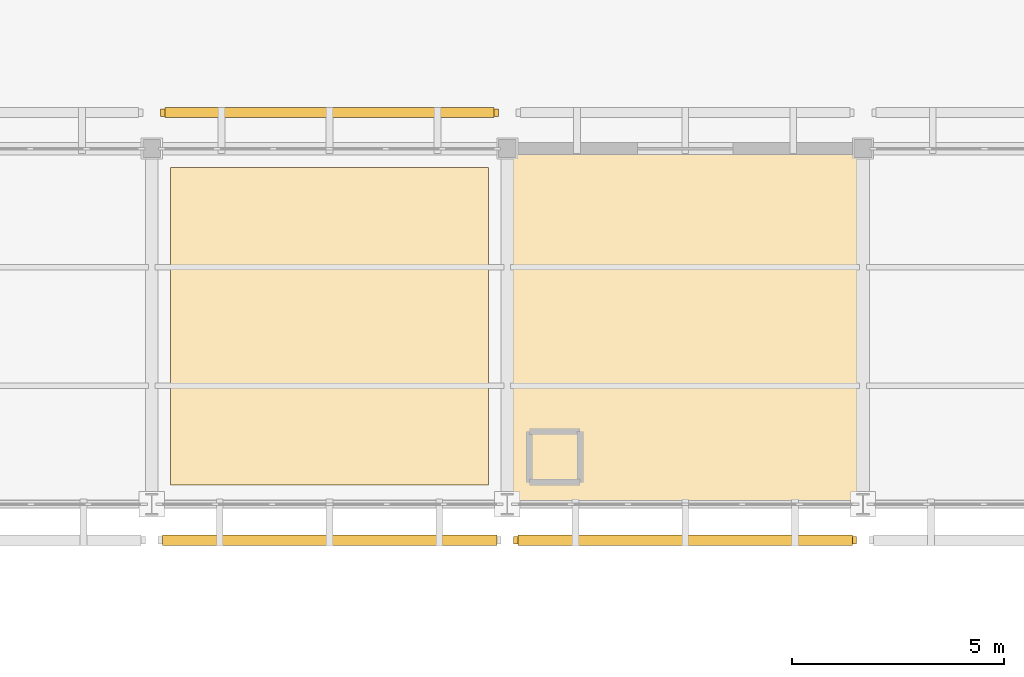
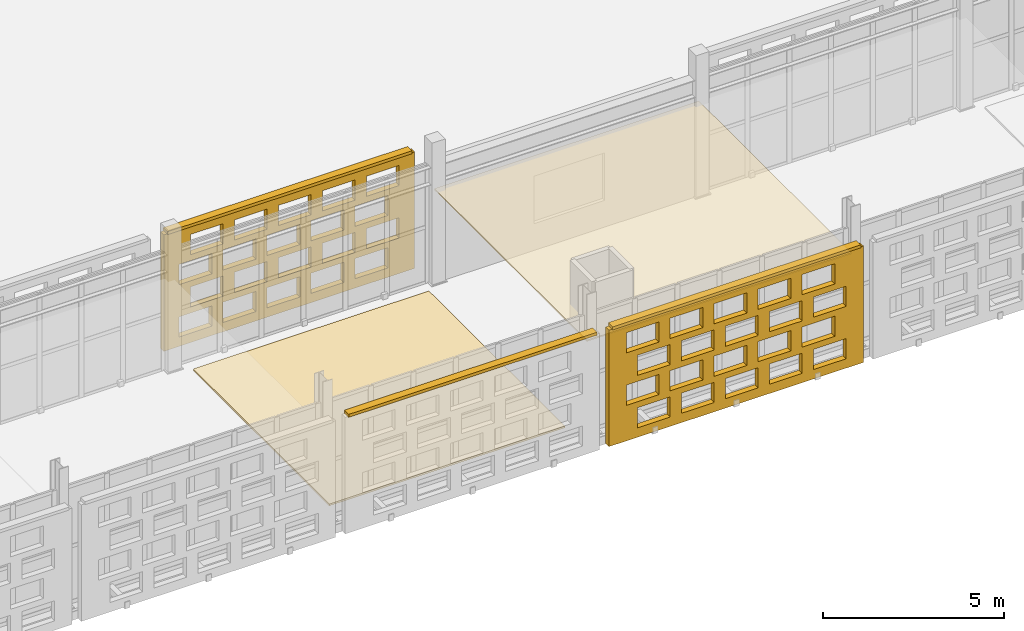
# One storey, part 172 of 203: 4 coverings, 3 shading devices, 40 openings.
"""IFC4 building model written with IfcOpenShell, lengths in metres."""

from ifc_helpers import new_model, si_unit, direction, frame, frame_2d, origin, origin_2d, place, context, subcontext, project, spatial, rectangle, extrude, material, layer, layer_set, type_object, element, save


model = new_model("IFC4")

# Units and contexts
model_context = context("Model", 3, precision=1e-05, world=origin(), true_north=direction((0.0, 1.0)))
body_context = subcontext(model_context, "Body", "Model", "MODEL_VIEW")
ifc_project = project(units=[si_unit("LENGTHUNIT", "METRE"), si_unit("AREAUNIT", "SQUARE_METRE"), si_unit("VOLUMEUNIT", "CUBIC_METRE"), si_unit("PLANEANGLEUNIT", "RADIAN"), si_unit("MASSUNIT", "GRAM", prefix="KILO")], contexts=[model_context])

# Site, building, storey
site_placement = place(None, origin())
site = spatial("IfcSite", under=ifc_project, at=site_placement, CompositionType="ELEMENT")
building_placement = place(site_placement, origin())
building = spatial("IfcBuilding", under=site, at=building_placement, Name="Varnapada Polytechnic", CompositionType="ELEMENT")
storey_placement = place(building_placement, frame((0.0, 0.0, 4.800048828125)))
storey = spatial("IfcBuildingStorey", under=building, at=storey_placement, Name="L01", CompositionType="ELEMENT", Elevation=4.800048828125)

# Coverings
ifc_material_1 = material(Name="Anti-Static Raised Laboratory Flooring")
ifc_layer_1 = layer(ifc_material_1, 0.06005859375)
ifc_layer_set_1 = layer_set([ifc_layer_1], Name="Anti-Static Raised Laboratory Flooring")
covering_type_1 = type_object("IfcCoveringType", Name="Floor Finish FLR-02", PredefinedType="FLOORING", material=ifc_layer_set_1)
covering_1_placement = place(storey_placement, frame((96.60009765625, 88.199951171875, 0.0), z_axis=(0.0, 0.0, 1.0), x_axis=(1.0, 0.0, 0.0)))
element("IfcCovering", 1, at=covering_1_placement, inside=storey, type_object=covering_type_1, Name="L01 floor finish panel (12,11)", PredefinedType="FLOORING", context=body_context, shape_type="SweptSolid", body=[
    extrude(rectangle(XDim=7.5, YDim=7.5, at=origin_2d()), origin(), (0.0, 0.0, 1.0), 0.06005859375),
])
ifc_material_2 = material(Name="Micro-Perforated Gypsum Acoustic Ceiling")
ifc_layer_2 = layer(ifc_material_2, 0.044921875)
ifc_layer_set_2 = layer_set([ifc_layer_2], Name="Micro-Perforated Gypsum Acoustic Ceiling")
covering_type_2 = type_object("IfcCoveringType", Name="Suspended Ceiling CLG-04", PredefinedType="CEILING", material=ifc_layer_set_2)
covering_2_placement = place(storey_placement, frame((105.0, 88.199951171875, 3.027587890625), z_axis=(0.0, 0.0, 1.0), x_axis=(1.0, 0.0, 0.0)))
element("IfcCovering", 2, at=covering_2_placement, inside=storey, type_object=covering_type_2, Name="L01 suspended acoustic ceiling (13,11)", PredefinedType="CEILING", context=body_context, shape_type="SweptSolid", body=[
    extrude(rectangle(XDim=8.419921875, YDim=8.419921875, at=origin_2d()), origin(), (0.0, 0.0, 1.0), 0.044921875),
])

# Covering, openings
ifc_material_3 = material(Name="Earth-toned architectural terracotta screen block", Category="masonry")
ifc_layer_3 = layer(ifc_material_3, 0.1201171875)
ifc_layer_set_3 = layer_set([ifc_layer_3], Name="Earth-toned architectural terracotta screen block")
covering_type_3 = type_object("IfcCoveringType", Name="Terracotta Screen Cladding CLD-01", PredefinedType="CLADDING", material=ifc_layer_set_3)
covering_3_placement = place(storey_placement, frame((92.610107421875, 93.25, 0.0), z_axis=(0.0, 0.0, 1.0), x_axis=(1.0, 0.0, 0.0)))
covering_3 = element("IfcCovering", 3, at=covering_3_placement, inside=storey, type_object=covering_type_3, Name="L01 perforated terracotta block screen (81)", PredefinedType="CLADDING", context=body_context, shape_type="SweptSolid", body=[
    extrude(rectangle(XDim=7.97998046875, YDim=0.179931640625, at=frame_2d((3.989990234375, 0.0))), origin(), (0.0, 0.0, 1.0), 3.919921875),
])
opening_1_placement = place(covering_3_placement, frame((0.489990234375, 0.0, 0.313720703125)))
element("IfcOpeningElement", 4, at=opening_1_placement, cuts=covering_3, Name="Screen perforation TBS-L01-080.1", PredefinedType="OPENING", context=body_context, shape_type="SweptSolid", body=[
    extrude(rectangle(XDim=1.0400390625, YDim=0.679931640625, at=frame_2d((0.52001953125, 0.33984375))), frame((0.0, 0.099853515625, 0.0), z_axis=(0.0, -1.0, 0.0), x_axis=(1.0, 0.0, 0.0)), (0.0, 0.0, 1.0), 0.199951171875),
])
opening_2_placement = place(covering_3_placement, frame((1.889892578125, 0.0, 0.313720703125)))
element("IfcOpeningElement", 5, at=opening_2_placement, cuts=covering_3, Name="Screen perforation TBS-L01-080.2", PredefinedType="OPENING", context=body_context, shape_type="SweptSolid", body=[
    extrude(rectangle(XDim=1.0400390625, YDim=0.679931640625, at=frame_2d((0.52001953125, 0.33984375))), frame((0.0, 0.099853515625, 0.0), z_axis=(0.0, -1.0, 0.0), x_axis=(1.0, 0.0, 0.0)), (0.0, 0.0, 1.0), 0.199951171875),
])
opening_3_placement = place(covering_3_placement, frame((3.2900390625, 0.0, 0.313720703125)))
element("IfcOpeningElement", 6, at=opening_3_placement, cuts=covering_3, Name="Screen perforation TBS-L01-080.3", PredefinedType="OPENING", context=body_context, shape_type="SweptSolid", body=[
    extrude(rectangle(XDim=1.0400390625, YDim=0.679931640625, at=frame_2d((0.52001953125, 0.33984375))), frame((0.0, 0.099853515625, 0.0), z_axis=(0.0, -1.0, 0.0), x_axis=(1.0, 0.0, 0.0)), (0.0, 0.0, 1.0), 0.199951171875),
])
opening_4_placement = place(covering_3_placement, frame((4.68994140625, 0.0, 0.313720703125)))
element("IfcOpeningElement", 7, at=opening_4_placement, cuts=covering_3, Name="Screen perforation TBS-L01-080.4", PredefinedType="OPENING", context=body_context, shape_type="SweptSolid", body=[
    extrude(rectangle(XDim=1.0400390625, YDim=0.679931640625, at=frame_2d((0.52001953125, 0.33984375))), frame((0.0, 0.099853515625, 0.0), z_axis=(0.0, -1.0, 0.0), x_axis=(1.0, 0.0, 0.0)), (0.0, 0.0, 1.0), 0.199951171875),
])
opening_5_placement = place(covering_3_placement, frame((6.090087890625, 0.0, 0.313720703125)))
element("IfcOpeningElement", 8, at=opening_5_placement, cuts=covering_3, Name="Screen perforation TBS-L01-080.5", PredefinedType="OPENING", context=body_context, shape_type="SweptSolid", body=[
    extrude(rectangle(XDim=1.0400390625, YDim=0.679931640625, at=frame_2d((0.52001953125, 0.33984375))), frame((0.0, 0.099853515625, 0.0), z_axis=(0.0, -1.0, 0.0), x_axis=(1.0, 0.0, 0.0)), (0.0, 0.0, 1.0), 0.199951171875),
])
opening_6_placement = place(covering_3_placement, frame((0.85009765625, 0.0, 1.195556640625)))
element("IfcOpeningElement", 9, at=opening_6_placement, cuts=covering_3, Name="Screen perforation TBS-L01-080.6", PredefinedType="OPENING", context=body_context, shape_type="SweptSolid", body=[
    extrude(rectangle(XDim=1.0400390625, YDim=0.679931640625, at=frame_2d((0.52001953125, 0.33984375))), frame((0.0, 0.099853515625, 0.0), z_axis=(0.0, -1.0, 0.0), x_axis=(1.0, 0.0, 0.0)), (0.0, 0.0, 1.0), 0.199951171875),
])
opening_7_placement = place(covering_3_placement, frame((2.25, 0.0, 1.195556640625)))
element("IfcOpeningElement", 10, at=opening_7_placement, cuts=covering_3, Name="Screen perforation TBS-L01-080.7", PredefinedType="OPENING", context=body_context, shape_type="SweptSolid", body=[
    extrude(rectangle(XDim=1.0400390625, YDim=0.679931640625, at=frame_2d((0.52001953125, 0.33984375))), frame((0.0, 0.099853515625, 0.0), z_axis=(0.0, -1.0, 0.0), x_axis=(1.0, 0.0, 0.0)), (0.0, 0.0, 1.0), 0.199951171875),
])
opening_8_placement = place(covering_3_placement, frame((3.64990234375, 0.0, 1.195556640625)))
element("IfcOpeningElement", 11, at=opening_8_placement, cuts=covering_3, Name="Screen perforation TBS-L01-080.8", PredefinedType="OPENING", context=body_context, shape_type="SweptSolid", body=[
    extrude(rectangle(XDim=1.0400390625, YDim=0.679931640625, at=frame_2d((0.52001953125, 0.33984375))), frame((0.0, 0.099853515625, 0.0), z_axis=(0.0, -1.0, 0.0), x_axis=(1.0, 0.0, 0.0)), (0.0, 0.0, 1.0), 0.199951171875),
])
opening_9_placement = place(covering_3_placement, frame((5.050048828125, 0.0, 1.195556640625)))
element("IfcOpeningElement", 12, at=opening_9_placement, cuts=covering_3, Name="Screen perforation TBS-L01-080.9", PredefinedType="OPENING", context=body_context, shape_type="SweptSolid", body=[
    extrude(rectangle(XDim=1.0400390625, YDim=0.679931640625, at=frame_2d((0.52001953125, 0.33984375))), frame((0.0, 0.099853515625, 0.0), z_axis=(0.0, -1.0, 0.0), x_axis=(1.0, 0.0, 0.0)), (0.0, 0.0, 1.0), 0.199951171875),
])
opening_10_placement = place(covering_3_placement, frame((6.449951171875, 0.0, 1.195556640625)))
element("IfcOpeningElement", 13, at=opening_10_placement, cuts=covering_3, Name="Screen perforation TBS-L01-080.10", PredefinedType="OPENING", context=body_context, shape_type="SweptSolid", body=[
    extrude(rectangle(XDim=1.0400390625, YDim=0.679931640625, at=frame_2d((0.52001953125, 0.33984375))), frame((0.0, 0.099853515625, 0.0), z_axis=(0.0, -1.0, 0.0), x_axis=(1.0, 0.0, 0.0)), (0.0, 0.0, 1.0), 0.199951171875),
])
opening_11_placement = place(covering_3_placement, frame((0.489990234375, 0.0, 2.07763671875)))
element("IfcOpeningElement", 14, at=opening_11_placement, cuts=covering_3, Name="Screen perforation TBS-L01-080.11", PredefinedType="OPENING", context=body_context, shape_type="SweptSolid", body=[
    extrude(rectangle(XDim=1.0400390625, YDim=0.679931640625, at=frame_2d((0.52001953125, 0.33984375))), frame((0.0, 0.099853515625, 0.0), z_axis=(0.0, -1.0, 0.0), x_axis=(1.0, 0.0, 0.0)), (0.0, 0.0, 1.0), 0.199951171875),
])
opening_12_placement = place(covering_3_placement, frame((1.889892578125, 0.0, 2.07763671875)))
element("IfcOpeningElement", 15, at=opening_12_placement, cuts=covering_3, Name="Screen perforation TBS-L01-080.12", PredefinedType="OPENING", context=body_context, shape_type="SweptSolid", body=[
    extrude(rectangle(XDim=1.0400390625, YDim=0.679931640625, at=frame_2d((0.52001953125, 0.33984375))), frame((0.0, 0.099853515625, 0.0), z_axis=(0.0, -1.0, 0.0), x_axis=(1.0, 0.0, 0.0)), (0.0, 0.0, 1.0), 0.199951171875),
])
opening_13_placement = place(covering_3_placement, frame((3.2900390625, 0.0, 2.07763671875)))
element("IfcOpeningElement", 16, at=opening_13_placement, cuts=covering_3, Name="Screen perforation TBS-L01-080.13", PredefinedType="OPENING", context=body_context, shape_type="SweptSolid", body=[
    extrude(rectangle(XDim=1.0400390625, YDim=0.679931640625, at=frame_2d((0.52001953125, 0.33984375))), frame((0.0, 0.099853515625, 0.0), z_axis=(0.0, -1.0, 0.0), x_axis=(1.0, 0.0, 0.0)), (0.0, 0.0, 1.0), 0.199951171875),
])
opening_14_placement = place(covering_3_placement, frame((4.68994140625, 0.0, 2.07763671875)))
element("IfcOpeningElement", 17, at=opening_14_placement, cuts=covering_3, Name="Screen perforation TBS-L01-080.14", PredefinedType="OPENING", context=body_context, shape_type="SweptSolid", body=[
    extrude(rectangle(XDim=1.0400390625, YDim=0.679931640625, at=frame_2d((0.52001953125, 0.33984375))), frame((0.0, 0.099853515625, 0.0), z_axis=(0.0, -1.0, 0.0), x_axis=(1.0, 0.0, 0.0)), (0.0, 0.0, 1.0), 0.199951171875),
])
opening_15_placement = place(covering_3_placement, frame((6.090087890625, 0.0, 2.07763671875)))
element("IfcOpeningElement", 18, at=opening_15_placement, cuts=covering_3, Name="Screen perforation TBS-L01-080.15", PredefinedType="OPENING", context=body_context, shape_type="SweptSolid", body=[
    extrude(rectangle(XDim=1.0400390625, YDim=0.679931640625, at=frame_2d((0.52001953125, 0.33984375))), frame((0.0, 0.099853515625, 0.0), z_axis=(0.0, -1.0, 0.0), x_axis=(1.0, 0.0, 0.0)), (0.0, 0.0, 1.0), 0.199951171875),
])
opening_16_placement = place(covering_3_placement, frame((0.85009765625, 0.0, 2.959716796875)))
element("IfcOpeningElement", 19, at=opening_16_placement, cuts=covering_3, Name="Screen perforation TBS-L01-080.16", PredefinedType="OPENING", context=body_context, shape_type="SweptSolid", body=[
    extrude(rectangle(XDim=1.0400390625, YDim=0.679931640625, at=frame_2d((0.52001953125, 0.33984375))), frame((0.0, 0.099853515625, 0.0), z_axis=(0.0, -1.0, 0.0), x_axis=(1.0, 0.0, 0.0)), (0.0, 0.0, 1.0), 0.199951171875),
])
opening_17_placement = place(covering_3_placement, frame((2.25, 0.0, 2.959716796875)))
element("IfcOpeningElement", 20, at=opening_17_placement, cuts=covering_3, Name="Screen perforation TBS-L01-080.17", PredefinedType="OPENING", context=body_context, shape_type="SweptSolid", body=[
    extrude(rectangle(XDim=1.0400390625, YDim=0.679931640625, at=frame_2d((0.52001953125, 0.33984375))), frame((0.0, 0.099853515625, 0.0), z_axis=(0.0, -1.0, 0.0), x_axis=(1.0, 0.0, 0.0)), (0.0, 0.0, 1.0), 0.199951171875),
])
opening_18_placement = place(covering_3_placement, frame((3.64990234375, 0.0, 2.959716796875)))
element("IfcOpeningElement", 21, at=opening_18_placement, cuts=covering_3, Name="Screen perforation TBS-L01-080.18", PredefinedType="OPENING", context=body_context, shape_type="SweptSolid", body=[
    extrude(rectangle(XDim=1.0400390625, YDim=0.679931640625, at=frame_2d((0.52001953125, 0.33984375))), frame((0.0, 0.099853515625, 0.0), z_axis=(0.0, -1.0, 0.0), x_axis=(1.0, 0.0, 0.0)), (0.0, 0.0, 1.0), 0.199951171875),
])
opening_19_placement = place(covering_3_placement, frame((5.050048828125, 0.0, 2.959716796875)))
element("IfcOpeningElement", 22, at=opening_19_placement, cuts=covering_3, Name="Screen perforation TBS-L01-080.19", PredefinedType="OPENING", context=body_context, shape_type="SweptSolid", body=[
    extrude(rectangle(XDim=1.0400390625, YDim=0.679931640625, at=frame_2d((0.52001953125, 0.33984375))), frame((0.0, 0.099853515625, 0.0), z_axis=(0.0, -1.0, 0.0), x_axis=(1.0, 0.0, 0.0)), (0.0, 0.0, 1.0), 0.199951171875),
])
opening_20_placement = place(covering_3_placement, frame((6.449951171875, 0.0, 2.959716796875)))
element("IfcOpeningElement", 23, at=opening_20_placement, cuts=covering_3, Name="Screen perforation TBS-L01-080.20", PredefinedType="OPENING", context=body_context, shape_type="SweptSolid", body=[
    extrude(rectangle(XDim=1.0400390625, YDim=0.679931640625, at=frame_2d((0.52001953125, 0.33984375))), frame((0.0, 0.099853515625, 0.0), z_axis=(0.0, -1.0, 0.0), x_axis=(1.0, 0.0, 0.0)), (0.0, 0.0, 1.0), 0.199951171875),
])

covering_4_placement = place(storey_placement, frame((109.050048828125, 83.14990234375, 0.0), z_axis=(0.0, 0.0, 1.0), x_axis=(-1.0, 0.0, 0.0)))
covering_4 = element("IfcCovering", 24, at=covering_4_placement, inside=storey, type_object=covering_type_3, Name="L01 perforated terracotta block screen (86)", PredefinedType="CLADDING", context=body_context, shape_type="SweptSolid", body=[
    extrude(rectangle(XDim=8.10009765625, YDim=0.179931640625, at=frame_2d((4.050048828125, 0.0))), origin(), (0.0, 0.0, 1.0), 3.919921875),
])
opening_21_placement = place(covering_4_placement, frame((0.550048828125, 0.0, 0.313720703125)))
element("IfcOpeningElement", 25, at=opening_21_placement, cuts=covering_4, Name="Screen perforation TBS-L01-085.1", PredefinedType="OPENING", context=body_context, shape_type="SweptSolid", body=[
    extrude(rectangle(XDim=1.0400390625, YDim=0.679931640625, at=frame_2d((0.52001953125, 0.33984375))), frame((0.0, 0.099853515625, 0.0), z_axis=(0.0, -1.0, 0.0), x_axis=(1.0, 0.0, 0.0)), (0.0, 0.0, 1.0), 0.199951171875),
])
opening_22_placement = place(covering_4_placement, frame((1.949951171875, 0.0, 0.313720703125)))
element("IfcOpeningElement", 26, at=opening_22_placement, cuts=covering_4, Name="Screen perforation TBS-L01-085.2", PredefinedType="OPENING", context=body_context, shape_type="SweptSolid", body=[
    extrude(rectangle(XDim=1.0400390625, YDim=0.679931640625, at=frame_2d((0.52001953125, 0.33984375))), frame((0.0, 0.099853515625, 0.0), z_axis=(0.0, -1.0, 0.0), x_axis=(1.0, 0.0, 0.0)), (0.0, 0.0, 1.0), 0.199951171875),
])
opening_23_placement = place(covering_4_placement, frame((3.35009765625, 0.0, 0.313720703125)))
element("IfcOpeningElement", 27, at=opening_23_placement, cuts=covering_4, Name="Screen perforation TBS-L01-085.3", PredefinedType="OPENING", context=body_context, shape_type="SweptSolid", body=[
    extrude(rectangle(XDim=1.0400390625, YDim=0.679931640625, at=frame_2d((0.52001953125, 0.33984375))), frame((0.0, 0.099853515625, 0.0), z_axis=(0.0, -1.0, 0.0), x_axis=(1.0, 0.0, 0.0)), (0.0, 0.0, 1.0), 0.199951171875),
])
opening_24_placement = place(covering_4_placement, frame((4.75, 0.0, 0.313720703125)))
element("IfcOpeningElement", 28, at=opening_24_placement, cuts=covering_4, Name="Screen perforation TBS-L01-085.4", PredefinedType="OPENING", context=body_context, shape_type="SweptSolid", body=[
    extrude(rectangle(XDim=1.0400390625, YDim=0.679931640625, at=frame_2d((0.52001953125, 0.33984375))), frame((0.0, 0.099853515625, 0.0), z_axis=(0.0, -1.0, 0.0), x_axis=(1.0, 0.0, 0.0)), (0.0, 0.0, 1.0), 0.199951171875),
])
opening_25_placement = place(covering_4_placement, frame((6.14990234375, 0.0, 0.313720703125)))
element("IfcOpeningElement", 29, at=opening_25_placement, cuts=covering_4, Name="Screen perforation TBS-L01-085.5", PredefinedType="OPENING", context=body_context, shape_type="SweptSolid", body=[
    extrude(rectangle(XDim=1.0400390625, YDim=0.679931640625, at=frame_2d((0.52001953125, 0.33984375))), frame((0.0, 0.099853515625, 0.0), z_axis=(0.0, -1.0, 0.0), x_axis=(1.0, 0.0, 0.0)), (0.0, 0.0, 1.0), 0.199951171875),
])
opening_26_placement = place(covering_4_placement, frame((0.909912109375, 0.0, 1.195556640625)))
element("IfcOpeningElement", 30, at=opening_26_placement, cuts=covering_4, Name="Screen perforation TBS-L01-085.6", PredefinedType="OPENING", context=body_context, shape_type="SweptSolid", body=[
    extrude(rectangle(XDim=1.0400390625, YDim=0.679931640625, at=frame_2d((0.52001953125, 0.33984375))), frame((0.0, 0.099853515625, 0.0), z_axis=(0.0, -1.0, 0.0), x_axis=(1.0, 0.0, 0.0)), (0.0, 0.0, 1.0), 0.199951171875),
])
opening_27_placement = place(covering_4_placement, frame((2.31005859375, 0.0, 1.195556640625)))
element("IfcOpeningElement", 31, at=opening_27_placement, cuts=covering_4, Name="Screen perforation TBS-L01-085.7", PredefinedType="OPENING", context=body_context, shape_type="SweptSolid", body=[
    extrude(rectangle(XDim=1.0400390625, YDim=0.679931640625, at=frame_2d((0.52001953125, 0.33984375))), frame((0.0, 0.099853515625, 0.0), z_axis=(0.0, -1.0, 0.0), x_axis=(1.0, 0.0, 0.0)), (0.0, 0.0, 1.0), 0.199951171875),
])
opening_28_placement = place(covering_4_placement, frame((3.7099609375, 0.0, 1.195556640625)))
element("IfcOpeningElement", 32, at=opening_28_placement, cuts=covering_4, Name="Screen perforation TBS-L01-085.8", PredefinedType="OPENING", context=body_context, shape_type="SweptSolid", body=[
    extrude(rectangle(XDim=1.0400390625, YDim=0.679931640625, at=frame_2d((0.52001953125, 0.33984375))), frame((0.0, 0.099853515625, 0.0), z_axis=(0.0, -1.0, 0.0), x_axis=(1.0, 0.0, 0.0)), (0.0, 0.0, 1.0), 0.199951171875),
])
opening_29_placement = place(covering_4_placement, frame((5.110107421875, 0.0, 1.195556640625)))
element("IfcOpeningElement", 33, at=opening_29_placement, cuts=covering_4, Name="Screen perforation TBS-L01-085.9", PredefinedType="OPENING", context=body_context, shape_type="SweptSolid", body=[
    extrude(rectangle(XDim=1.0400390625, YDim=0.679931640625, at=frame_2d((0.52001953125, 0.33984375))), frame((0.0, 0.099853515625, 0.0), z_axis=(0.0, -1.0, 0.0), x_axis=(1.0, 0.0, 0.0)), (0.0, 0.0, 1.0), 0.199951171875),
])
opening_30_placement = place(covering_4_placement, frame((6.510009765625, 0.0, 1.195556640625)))
element("IfcOpeningElement", 34, at=opening_30_placement, cuts=covering_4, Name="Screen perforation TBS-L01-085.10", PredefinedType="OPENING", context=body_context, shape_type="SweptSolid", body=[
    extrude(rectangle(XDim=1.0400390625, YDim=0.679931640625, at=frame_2d((0.52001953125, 0.33984375))), frame((0.0, 0.099853515625, 0.0), z_axis=(0.0, -1.0, 0.0), x_axis=(1.0, 0.0, 0.0)), (0.0, 0.0, 1.0), 0.199951171875),
])
opening_31_placement = place(covering_4_placement, frame((0.550048828125, 0.0, 2.07763671875)))
element("IfcOpeningElement", 35, at=opening_31_placement, cuts=covering_4, Name="Screen perforation TBS-L01-085.11", PredefinedType="OPENING", context=body_context, shape_type="SweptSolid", body=[
    extrude(rectangle(XDim=1.0400390625, YDim=0.679931640625, at=frame_2d((0.52001953125, 0.33984375))), frame((0.0, 0.099853515625, 0.0), z_axis=(0.0, -1.0, 0.0), x_axis=(1.0, 0.0, 0.0)), (0.0, 0.0, 1.0), 0.199951171875),
])
opening_32_placement = place(covering_4_placement, frame((1.949951171875, 0.0, 2.07763671875)))
element("IfcOpeningElement", 36, at=opening_32_placement, cuts=covering_4, Name="Screen perforation TBS-L01-085.12", PredefinedType="OPENING", context=body_context, shape_type="SweptSolid", body=[
    extrude(rectangle(XDim=1.0400390625, YDim=0.679931640625, at=frame_2d((0.52001953125, 0.33984375))), frame((0.0, 0.099853515625, 0.0), z_axis=(0.0, -1.0, 0.0), x_axis=(1.0, 0.0, 0.0)), (0.0, 0.0, 1.0), 0.199951171875),
])
opening_33_placement = place(covering_4_placement, frame((3.35009765625, 0.0, 2.07763671875)))
element("IfcOpeningElement", 37, at=opening_33_placement, cuts=covering_4, Name="Screen perforation TBS-L01-085.13", PredefinedType="OPENING", context=body_context, shape_type="SweptSolid", body=[
    extrude(rectangle(XDim=1.0400390625, YDim=0.679931640625, at=frame_2d((0.52001953125, 0.33984375))), frame((0.0, 0.099853515625, 0.0), z_axis=(0.0, -1.0, 0.0), x_axis=(1.0, 0.0, 0.0)), (0.0, 0.0, 1.0), 0.199951171875),
])
opening_34_placement = place(covering_4_placement, frame((4.75, 0.0, 2.07763671875)))
element("IfcOpeningElement", 38, at=opening_34_placement, cuts=covering_4, Name="Screen perforation TBS-L01-085.14", PredefinedType="OPENING", context=body_context, shape_type="SweptSolid", body=[
    extrude(rectangle(XDim=1.0400390625, YDim=0.679931640625, at=frame_2d((0.52001953125, 0.33984375))), frame((0.0, 0.099853515625, 0.0), z_axis=(0.0, -1.0, 0.0), x_axis=(1.0, 0.0, 0.0)), (0.0, 0.0, 1.0), 0.199951171875),
])
opening_35_placement = place(covering_4_placement, frame((6.14990234375, 0.0, 2.07763671875)))
element("IfcOpeningElement", 39, at=opening_35_placement, cuts=covering_4, Name="Screen perforation TBS-L01-085.15", PredefinedType="OPENING", context=body_context, shape_type="SweptSolid", body=[
    extrude(rectangle(XDim=1.0400390625, YDim=0.679931640625, at=frame_2d((0.52001953125, 0.33984375))), frame((0.0, 0.099853515625, 0.0), z_axis=(0.0, -1.0, 0.0), x_axis=(1.0, 0.0, 0.0)), (0.0, 0.0, 1.0), 0.199951171875),
])
opening_36_placement = place(covering_4_placement, frame((0.909912109375, 0.0, 2.959716796875)))
element("IfcOpeningElement", 40, at=opening_36_placement, cuts=covering_4, Name="Screen perforation TBS-L01-085.16", PredefinedType="OPENING", context=body_context, shape_type="SweptSolid", body=[
    extrude(rectangle(XDim=1.0400390625, YDim=0.679931640625, at=frame_2d((0.52001953125, 0.33984375))), frame((0.0, 0.099853515625, 0.0), z_axis=(0.0, -1.0, 0.0), x_axis=(1.0, 0.0, 0.0)), (0.0, 0.0, 1.0), 0.199951171875),
])
opening_37_placement = place(covering_4_placement, frame((2.31005859375, 0.0, 2.959716796875)))
element("IfcOpeningElement", 41, at=opening_37_placement, cuts=covering_4, Name="Screen perforation TBS-L01-085.17", PredefinedType="OPENING", context=body_context, shape_type="SweptSolid", body=[
    extrude(rectangle(XDim=1.0400390625, YDim=0.679931640625, at=frame_2d((0.52001953125, 0.33984375))), frame((0.0, 0.099853515625, 0.0), z_axis=(0.0, -1.0, 0.0), x_axis=(1.0, 0.0, 0.0)), (0.0, 0.0, 1.0), 0.199951171875),
])
opening_38_placement = place(covering_4_placement, frame((3.7099609375, 0.0, 2.959716796875)))
element("IfcOpeningElement", 42, at=opening_38_placement, cuts=covering_4, Name="Screen perforation TBS-L01-085.18", PredefinedType="OPENING", context=body_context, shape_type="SweptSolid", body=[
    extrude(rectangle(XDim=1.0400390625, YDim=0.679931640625, at=frame_2d((0.52001953125, 0.33984375))), frame((0.0, 0.099853515625, 0.0), z_axis=(0.0, -1.0, 0.0), x_axis=(1.0, 0.0, 0.0)), (0.0, 0.0, 1.0), 0.199951171875),
])
opening_39_placement = place(covering_4_placement, frame((5.110107421875, 0.0, 2.959716796875)))
element("IfcOpeningElement", 43, at=opening_39_placement, cuts=covering_4, Name="Screen perforation TBS-L01-085.19", PredefinedType="OPENING", context=body_context, shape_type="SweptSolid", body=[
    extrude(rectangle(XDim=1.0400390625, YDim=0.679931640625, at=frame_2d((0.52001953125, 0.33984375))), frame((0.0, 0.099853515625, 0.0), z_axis=(0.0, -1.0, 0.0), x_axis=(1.0, 0.0, 0.0)), (0.0, 0.0, 1.0), 0.199951171875),
])
opening_40_placement = place(covering_4_placement, frame((6.510009765625, 0.0, 2.959716796875)))
element("IfcOpeningElement", 44, at=opening_40_placement, cuts=covering_4, Name="Screen perforation TBS-L01-085.20", PredefinedType="OPENING", context=body_context, shape_type="SweptSolid", body=[
    extrude(rectangle(XDim=1.0400390625, YDim=0.679931640625, at=frame_2d((0.52001953125, 0.33984375))), frame((0.0, 0.099853515625, 0.0), z_axis=(0.0, -1.0, 0.0), x_axis=(1.0, 0.0, 0.0)), (0.0, 0.0, 1.0), 0.199951171875),
])

# Shading devices
ifc_layer_4 = layer(ifc_material_3, 0.179931640625)
ifc_layer_set_4 = layer_set([ifc_layer_4], Name="Earth-toned architectural terracotta screen block")
shading_device_type = type_object("IfcShadingDeviceType", Name="Terracotta Screen SCR-02", PredefinedType="USERDEFINED", material=ifc_layer_set_4)
shading_device_1_placement = place(storey_placement, frame((96.60009765625, 83.14990234375, 3.909912109375), z_axis=(0.0, 0.0, 1.0), x_axis=(-1.0, 0.0, 0.0)))
element("IfcShadingDevice", 45, at=shading_device_1_placement, inside=storey, type_object=shading_device_type, Name="L01 perforated terracotta screen hood 159", ObjectType="SCREEN", PredefinedType="USERDEFINED", context=body_context, shape_type="SweptSolid", body=[
    extrude(rectangle(XDim=7.89990234375, YDim=0.239990234375, at=origin_2d()), origin(), (0.0, 0.0, 1.0), 0.10009765625),
])
shading_device_2_placement = place(storey_placement, frame((96.60009765625, 93.25, 3.909912109375), z_axis=(0.0, 0.0, 1.0), x_axis=(1.0, 0.0, 0.0)))
element("IfcShadingDevice", 46, at=shading_device_2_placement, inside=storey, type_object=shading_device_type, Name="L01 perforated terracotta screen hood 160", ObjectType="SCREEN", PredefinedType="USERDEFINED", context=body_context, shape_type="SweptSolid", body=[
    extrude(rectangle(XDim=7.780029296875, YDim=0.239990234375, at=origin_2d()), origin(), (0.0, 0.0, 1.0), 0.10009765625),
])
shading_device_3_placement = place(storey_placement, frame((105.0, 83.14990234375, 3.909912109375), z_axis=(0.0, 0.0, 1.0), x_axis=(-1.0, 0.0, 0.0)))
element("IfcShadingDevice", 47, at=shading_device_3_placement, inside=storey, type_object=shading_device_type, Name="L01 perforated terracotta screen hood 165", ObjectType="SCREEN", PredefinedType="USERDEFINED", context=body_context, shape_type="SweptSolid", body=[
    extrude(rectangle(XDim=7.89990234375, YDim=0.239990234375, at=origin_2d()), origin(), (0.0, 0.0, 1.0), 0.10009765625),
])

save(model, "model.ifc")
